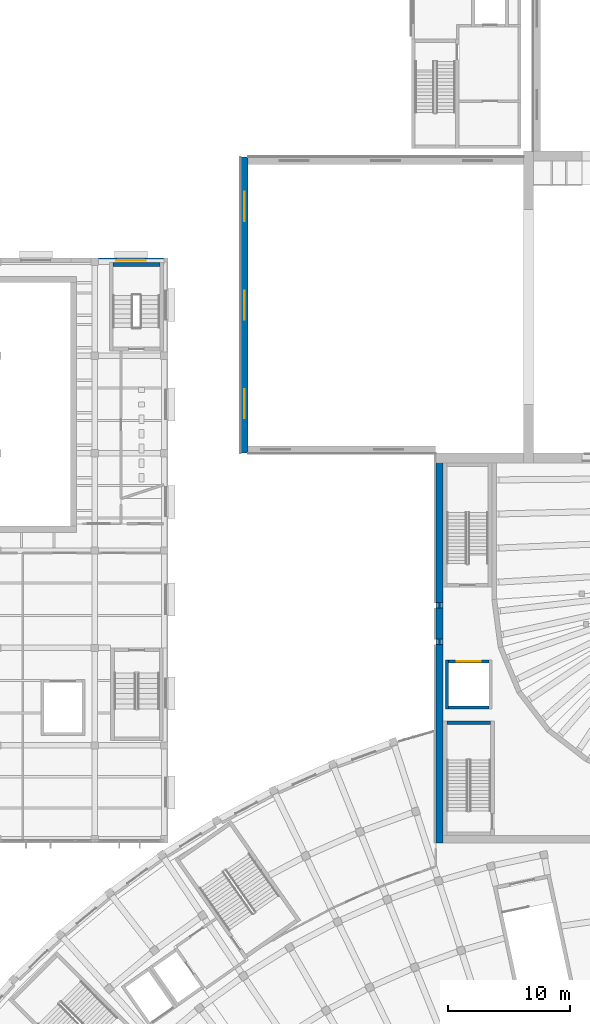
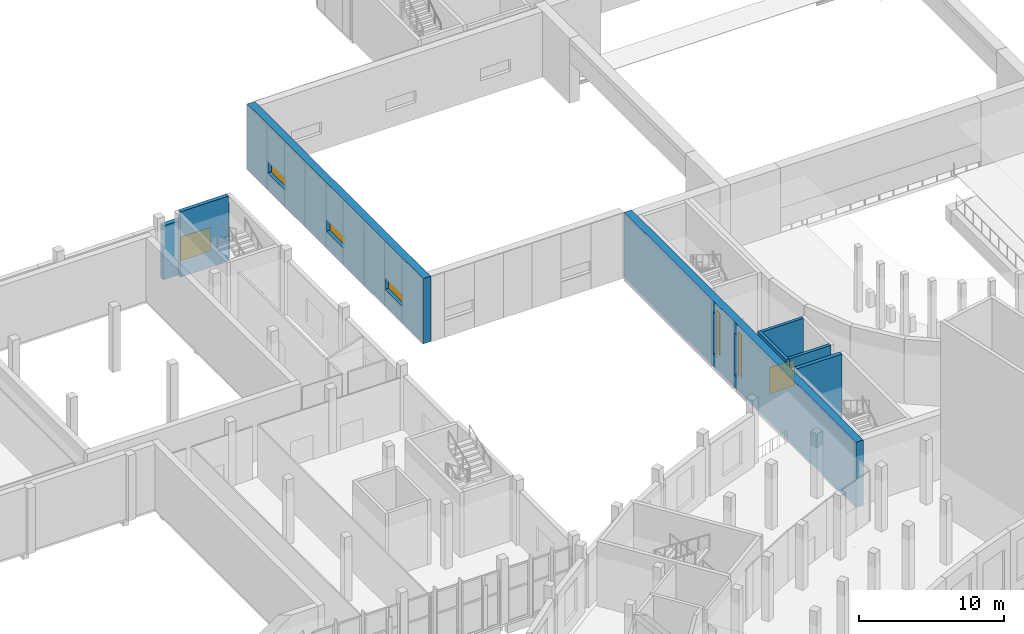
# One storey, part 38 of 87: 8 walls, 6 windows, 1 door, 7 openings.
"""IFC4 building model written with IfcOpenShell, lengths in metres."""

from ifc_helpers import new_model, si_unit, direction, frame, frame_2d, origin, place, context, subcontext, project, spatial, rectangle, extrude, material, layer, layer_set, type_object, element, fill, save


model = new_model("IFC4")

# Units and contexts
model_context = context("Model", 3, precision=1e-05, world=origin(), true_north=direction((0.0, 1.0)))
body_context = subcontext(model_context, "Body", "Model", "MODEL_VIEW")
ifc_project = project(units=[si_unit("LENGTHUNIT", "METRE"), si_unit("AREAUNIT", "SQUARE_METRE"), si_unit("VOLUMEUNIT", "CUBIC_METRE"), si_unit("PLANEANGLEUNIT", "RADIAN"), si_unit("MASSUNIT", "GRAM", prefix="KILO")], contexts=[model_context])

# Site, building, storey
site_placement = place(None, origin())
site = spatial("IfcSite", under=ifc_project, at=site_placement, CompositionType="ELEMENT")
building_placement = place(site_placement, origin())
building = spatial("IfcBuilding", under=site, at=building_placement, Name="Lunette Opera House", CompositionType="ELEMENT")
storey_placement = place(building_placement, frame((0.0, 0.0, 11.5)))
storey = spatial("IfcBuildingStorey", under=building, at=storey_placement, Name="L02", CompositionType="ELEMENT", Elevation=11.5)

# Wall, opening, door
ifc_material_1 = material(Name="Concrete C35/45", Category="concrete")
ifc_layer_1 = layer(ifc_material_1, 0.25)
ifc_layer_set_1 = layer_set([ifc_layer_1], Name="Concrete C35/45")
wall_type_1 = type_object("IfcWallType", Name="RC LIFT SHAFT WALL 250", PredefinedType="SOLIDWALL", material=ifc_layer_set_1)
wall_1_placement = place(storey_placement, frame((80.35009765625, 78.875, 0.0), z_axis=(0.0, 0.0, 1.0), x_axis=(-1.0, 0.0, 0.0)))
wall_1 = element("IfcWall", 1, at=wall_1_placement, inside=storey, type_object=wall_type_1, Name="LF4 shaft wall 2", PredefinedType="SOLIDWALL", context=body_context, shape_type="SweptSolid", body=[
    extrude(rectangle(XDim=3.300048828125, YDim=0.25, at=frame_2d((1.64990234375, 0.0))), origin(), (0.0, 0.0, 1.0), 5.5),
])
opening_1_placement = place(wall_1_placement, frame((0.64990234375, 0.0, 0.0)))
opening_1 = element("IfcOpeningElement", 2, at=opening_1_placement, cuts=wall_1, Name="Opening AU-LD008", PredefinedType="OPENING", context=body_context, shape_type="SweptSolid", body=[
    extrude(rectangle(XDim=2.0, YDim=2.199951171875, at=frame_2d((1.0, 1.10009765625))), frame((0.0, 0.136962890625, 0.0), z_axis=(0.0, -1.0, 0.0), x_axis=(1.0, 0.0, 0.0)), (0.0, 0.0, 1.0), 0.27392578125),
])
ifc_material_2 = material(Name="Stainless steel", Category="steel")
door_type = type_object("IfcDoorType", Name="LIFT LANDING DOOR 2000 X 2200", OperationType="DOUBLE_DOOR_SLIDING", PredefinedType="DOOR", material=ifc_material_2)
door_placement = place(opening_1_placement, origin())
door = element("IfcDoor", 3, at=door_placement, inside=storey, type_object=door_type, Name="LF4 lift landing door", OperationType="DOUBLE_DOOR_SLIDING", OverallHeight=2.199951171875, OverallWidth=2.0, PredefinedType="DOOR", context=body_context, shape_type="SweptSolid", body=[
    extrude(rectangle(XDim=2.0, YDim=2.199951171875, at=frame_2d((1.0, 1.10009765625))), frame((0.0, 0.02490234375, 0.0), z_axis=(0.0, -1.0, 0.0), x_axis=(1.0, 0.0, 0.0)), (0.0, 0.0, 1.0), 0.050048828125),
])
fill(opening_1, door)

# Walls
wall_2_placement = place(storey_placement, frame((76.925048828125, 79.0, 0.0), z_axis=(0.0, 0.0, 1.0), x_axis=(0.0, -1.0, 0.0)))
element("IfcWall", 4, at=wall_2_placement, inside=storey, type_object=wall_type_1, Name="LF4 shaft wall 3", PredefinedType="SOLIDWALL", context=body_context, shape_type="SweptSolid", body=[
    extrude(rectangle(XDim=4.0, YDim=0.25, at=frame_2d((2.0, 0.0))), origin(), (0.0, 0.0, 1.0), 5.5),
])
wall_3_placement = place(storey_placement, frame((77.050048828125, 75.125, 0.0), z_axis=(0.0, 0.0, 1.0), x_axis=(1.0, 0.0, 0.0)))
element("IfcWall", 5, at=wall_3_placement, inside=storey, type_object=wall_type_1, Name="LF4 shaft wall 4", PredefinedType="SOLIDWALL", context=body_context, shape_type="SweptSolid", body=[
    extrude(rectangle(XDim=3.300048828125, YDim=0.25, at=frame_2d((1.64990234375, 0.0))), origin(), (0.0, 0.0, 1.0), 5.5),
])
ifc_material_3 = material(Name="Concrete C35/45", Category="concrete")
ifc_layer_2 = layer(ifc_material_3, 0.300048828125)
ifc_layer_set_2 = layer_set([ifc_layer_2], Name="Concrete C35/45")
wall_type_2 = type_object("IfcWallType", Name="RC STAIR ENCLOSURE WALL 300", PredefinedType="SOLIDWALL", material=ifc_layer_set_2)
wall_4_placement = place(storey_placement, frame((53.3349609375, 111.485107421875, 0.0), z_axis=(0.0, 0.0, 1.0), x_axis=(-1.0, 0.0, 0.0)))
element("IfcWall", 6, at=wall_4_placement, inside=storey, type_object=wall_type_2, Name="ST17 enclosure wall 2", PredefinedType="SOLIDWALL", context=body_context, shape_type="SweptSolid", body=[
    extrude(rectangle(XDim=3.8349609375, YDim=0.300048828125, at=frame_2d((1.91748046875, 0.0))), origin(), (0.0, 0.0, 1.0), 5.5),
])
wall_5_placement = place(storey_placement, frame((80.5, 73.85009765625, 0.0), z_axis=(0.0, 0.0, 1.0), x_axis=(-1.0, 0.0, 0.0)))
element("IfcWall", 7, at=wall_5_placement, inside=storey, type_object=wall_type_2, Name="ST7 enclosure wall 2", PredefinedType="SOLIDWALL", context=body_context, shape_type="SweptSolid", body=[
    extrude(rectangle(XDim=3.60009765625, YDim=0.300048828125, at=frame_2d((1.800048828125, 0.0))), origin(), (0.0, 0.0, 1.0), 5.5),
])

# Wall, openings, windows
ifc_material_4 = material(Name="Concrete C35/45", Category="concrete")
ifc_layer_3 = layer(ifc_material_4, 0.60009765625)
ifc_layer_set_3 = layer_set([ifc_layer_3], Name="Concrete C35/45")
wall_type_3 = type_object("IfcWallType", Name="RC WALL 600", PredefinedType="SHEAR", material=ifc_layer_set_3)
wall_6_placement = place(storey_placement, frame((76.300048828125, 64.0, 0.0), z_axis=(0.0, 0.0, 1.0), x_axis=(0.0, 1.0, 0.0)))
wall_6 = element("IfcWall", 8, at=wall_6_placement, inside=storey, type_object=wall_type_3, Name="wall-AU-L02-WL", PredefinedType="SHEAR", context=body_context, shape_type="SweptSolid", body=[
    extrude(rectangle(XDim=32.0, YDim=0.60009765625, at=frame_2d((16.0, 0.0))), origin(), (0.0, 0.0, 1.0), 5.5),
])
opening_2_placement = place(wall_6_placement, frame((16.27490234375, 0.0, 1.0)))
opening_2 = element("IfcOpeningElement", 9, at=opening_2_placement, cuts=wall_6, Name="Opening AU-N2001", PredefinedType="OPENING", context=body_context, shape_type="SweptSolid", body=[
    extrude(rectangle(XDim=0.449951171875, YDim=3.60009765625, at=frame_2d((0.22509765625, 1.800048828125))), frame((0.0, 0.31201171875, 0.0), z_axis=(0.0, -1.0, 0.0), x_axis=(1.0, 0.0, 0.0)), (0.0, 0.0, 1.0), 0.6240234375),
])
opening_3_placement = place(wall_6_placement, frame((19.27490234375, 0.0, 1.0)))
opening_3 = element("IfcOpeningElement", 10, at=opening_3_placement, cuts=wall_6, Name="Opening AU-N2002", PredefinedType="OPENING", context=body_context, shape_type="SweptSolid", body=[
    extrude(rectangle(XDim=0.449951171875, YDim=3.60009765625, at=frame_2d((0.22509765625, 1.800048828125))), frame((0.0, 0.31201171875, 0.0), z_axis=(0.0, -1.0, 0.0), x_axis=(1.0, 0.0, 0.0)), (0.0, 0.0, 1.0), 0.6240234375),
])
ifc_material_5 = material(Name="Aluminium", Category="aluminium")
window_type_1 = type_object("IfcWindowType", Name="SLIT WINDOW 450 X 3600", PartitioningType="SINGLE_PANEL", PredefinedType="WINDOW", material=ifc_material_5)
window_1_placement = place(opening_2_placement, origin())
window_1 = element("IfcWindow", 11, at=window_1_placement, inside=storey, type_object=window_type_1, Name="Slit Window 450 X 3600 WL-SL805 L02", OverallHeight=3.60009765625, OverallWidth=0.449951171875, PartitioningType="SINGLE_PANEL", PredefinedType="WINDOW", context=body_context, shape_type="SweptSolid", body=[
    extrude(rectangle(XDim=0.449951171875, YDim=3.60009765625, at=frame_2d((0.22509765625, 1.800048828125))), frame((0.0, 0.030029296875, 0.0), z_axis=(0.0, -1.0, 0.0), x_axis=(1.0, 0.0, 0.0)), (0.0, 0.0, 1.0), 0.06005859375),
])
fill(opening_2, window_1)
window_2_placement = place(opening_3_placement, origin())
window_2 = element("IfcWindow", 12, at=window_2_placement, inside=storey, type_object=window_type_1, Name="Slit Window 450 X 3600 WL-SL835 L02", OverallHeight=3.60009765625, OverallWidth=0.449951171875, PartitioningType="SINGLE_PANEL", PredefinedType="WINDOW", context=body_context, shape_type="SweptSolid", body=[
    extrude(rectangle(XDim=0.449951171875, YDim=3.60009765625, at=frame_2d((0.22509765625, 1.800048828125))), frame((0.0, 0.030029296875, 0.0), z_axis=(0.0, -1.0, 0.0), x_axis=(1.0, 0.0, 0.0)), (0.0, 0.0, 1.0), 0.06005859375),
])
fill(opening_3, window_2)

wall_7_placement = place(storey_placement, frame((60.300048828125, 96.0, 0.0), z_axis=(0.0, 0.0, 1.0), x_axis=(0.0, 1.0, 0.0)))
wall_7 = element("IfcWall", 13, at=wall_7_placement, inside=storey, type_object=wall_type_3, Name="wall-ST-L02-SW-W-1", PredefinedType="SHEAR", context=body_context, shape_type="SweptSolid", body=[
    extrude(rectangle(XDim=24.300048828125, YDim=0.60009765625, at=frame_2d((12.14990234375, 0.0))), origin(), (0.0, 0.0, 1.0), 5.5),
])
opening_4_placement = place(wall_7_placement, frame((2.85009765625, 0.0, 1.39990234375)))
opening_4 = element("IfcOpeningElement", 14, at=opening_4_placement, cuts=wall_7, Name="Opening ST-N2081", PredefinedType="OPENING", context=body_context, shape_type="SweptSolid", body=[
    extrude(rectangle(XDim=2.39990234375, YDim=1.0, at=frame_2d((1.199951171875, 0.5))), frame((0.0, 0.31201171875, 0.0), z_axis=(0.0, -1.0, 0.0), x_axis=(1.0, 0.0, 0.0)), (0.0, 0.0, 1.0), 0.6240234375),
])
opening_5_placement = place(wall_7_placement, frame((10.949951171875, 0.0, 1.39990234375)))
opening_5 = element("IfcOpeningElement", 15, at=opening_5_placement, cuts=wall_7, Name="Opening ST-N2082", PredefinedType="OPENING", context=body_context, shape_type="SweptSolid", body=[
    extrude(rectangle(XDim=2.39990234375, YDim=1.0, at=frame_2d((1.199951171875, 0.5))), frame((0.0, 0.31201171875, 0.0), z_axis=(0.0, -1.0, 0.0), x_axis=(1.0, 0.0, 0.0)), (0.0, 0.0, 1.0), 0.6240234375),
])
opening_6_placement = place(wall_7_placement, frame((19.050048828125, 0.0, 1.39990234375)))
opening_6 = element("IfcOpeningElement", 16, at=opening_6_placement, cuts=wall_7, Name="Opening ST-N2083", PredefinedType="OPENING", context=body_context, shape_type="SweptSolid", body=[
    extrude(rectangle(XDim=2.39990234375, YDim=1.0, at=frame_2d((1.199951171875, 0.5))), frame((0.0, 0.31201171875, 0.0), z_axis=(0.0, -1.0, 0.0), x_axis=(1.0, 0.0, 0.0)), (0.0, 0.0, 1.0), 0.6240234375),
])
ifc_material_6 = material(Name="Aluminium", Category="aluminium")
window_type_2 = type_object("IfcWindowType", Name="STAGE CLERESTORY WINDOW 2400 X 1000", PartitioningType="SINGLE_PANEL", PredefinedType="WINDOW", material=ifc_material_6)
window_3_placement = place(opening_4_placement, origin())
window_3 = element("IfcWindow", 17, at=window_3_placement, inside=storey, type_object=window_type_2, Name="Stage Clerestory Window 2400 X 1000 SW-W1 L02", OverallHeight=1.0, OverallWidth=2.39990234375, PartitioningType="SINGLE_PANEL", PredefinedType="WINDOW", context=body_context, shape_type="SweptSolid", body=[
    extrude(rectangle(XDim=2.39990234375, YDim=1.0, at=frame_2d((1.199951171875, 0.5))), frame((0.0, 0.030029296875, 0.0), z_axis=(0.0, -1.0, 0.0), x_axis=(1.0, 0.0, 0.0)), (0.0, 0.0, 1.0), 0.06005859375),
])
fill(opening_4, window_3)
window_4_placement = place(opening_5_placement, origin())
window_4 = element("IfcWindow", 18, at=window_4_placement, inside=storey, type_object=window_type_2, Name="Stage Clerestory Window 2400 X 1000 SW-W2 L02", OverallHeight=1.0, OverallWidth=2.39990234375, PartitioningType="SINGLE_PANEL", PredefinedType="WINDOW", context=body_context, shape_type="SweptSolid", body=[
    extrude(rectangle(XDim=2.39990234375, YDim=1.0, at=frame_2d((1.199951171875, 0.5))), frame((0.0, 0.030029296875, 0.0), z_axis=(0.0, -1.0, 0.0), x_axis=(1.0, 0.0, 0.0)), (0.0, 0.0, 1.0), 0.06005859375),
])
fill(opening_5, window_4)
window_5_placement = place(opening_6_placement, origin())
window_5 = element("IfcWindow", 19, at=window_5_placement, inside=storey, type_object=window_type_2, Name="Stage Clerestory Window 2400 X 1000 SW-W3 L02", OverallHeight=1.0, OverallWidth=2.39990234375, PartitioningType="SINGLE_PANEL", PredefinedType="WINDOW", context=body_context, shape_type="SweptSolid", body=[
    extrude(rectangle(XDim=2.39990234375, YDim=1.0, at=frame_2d((1.199951171875, 0.5))), frame((0.0, 0.030029296875, 0.0), z_axis=(0.0, -1.0, 0.0), x_axis=(1.0, 0.0, 0.0)), (0.0, 0.0, 1.0), 0.06005859375),
])
fill(opening_6, window_5)

# Wall, opening, window
ifc_material_7 = material(Name="Clinker brick", Category="masonry")
ifc_layer_4 = layer(ifc_material_7, 0.364990234375)
ifc_layer_set_4 = layer_set([ifc_layer_4], Name="Clinker brick")
wall_type_4 = type_object("IfcWallType", Name="REHEARSAL BRICK WALL 365", PredefinedType="SOLIDWALL", material=ifc_layer_set_4)
wall_8_placement = place(storey_placement, frame((53.635009765625, 111.81689453125, 0.0), z_axis=(0.0, 0.0, 1.0), x_axis=(-1.0, 0.0, 0.0)))
wall_8 = element("IfcWall", 20, at=wall_8_placement, inside=storey, type_object=wall_type_4, Name="Rehearsal Brick Wall 365 F07-1 L02", PredefinedType="SOLIDWALL", context=body_context, shape_type="SweptSolid", body=[
    extrude(rectangle(XDim=5.3349609375, YDim=0.364990234375, at=frame_2d((2.66748046875, 0.0))), origin(), (0.0, 0.0, 1.0), 4.550048828125),
])
opening_7_placement = place(wall_8_placement, frame((1.468017578125, 0.0, 1.0)))
opening_7 = element("IfcOpeningElement", 21, at=opening_7_placement, cuts=wall_8, Name="Opening RW-N2031", PredefinedType="OPENING", context=body_context, shape_type="SweptSolid", body=[
    extrude(rectangle(XDim=2.39990234375, YDim=2.0, at=frame_2d((1.199951171875, 1.0))), frame((0.0, 0.194580078125, 0.0), z_axis=(0.0, -1.0, 0.0), x_axis=(1.0, 0.0, 0.0)), (0.0, 0.0, 1.0), 0.388916015625),
])
ifc_material_8 = material(Name="Aluminium", Category="aluminium")
window_type_3 = type_object("IfcWindowType", Name="REHEARSAL WINDOW 2400 X 2000", PartitioningType="DOUBLE_PANEL_VERTICAL", PredefinedType="WINDOW", material=ifc_material_8)
window_6_placement = place(opening_7_placement, origin())
window_6 = element("IfcWindow", 22, at=window_6_placement, inside=storey, type_object=window_type_3, Name="Rehearsal Window 2400 X 2000 F07-1 L02", OverallHeight=2.0, OverallWidth=2.39990234375, PartitioningType="DOUBLE_PANEL_VERTICAL", PredefinedType="WINDOW", context=body_context, shape_type="SweptSolid", body=[
    extrude(rectangle(XDim=2.39990234375, YDim=2.0, at=frame_2d((1.199951171875, 1.0))), frame((0.0, 0.030029296875, 0.0), z_axis=(0.0, -1.0, 0.0), x_axis=(1.0, 0.0, 0.0)), (0.0, 0.0, 1.0), 0.06005859375),
])
fill(opening_7, window_6)

save(model, "model.ifc")
